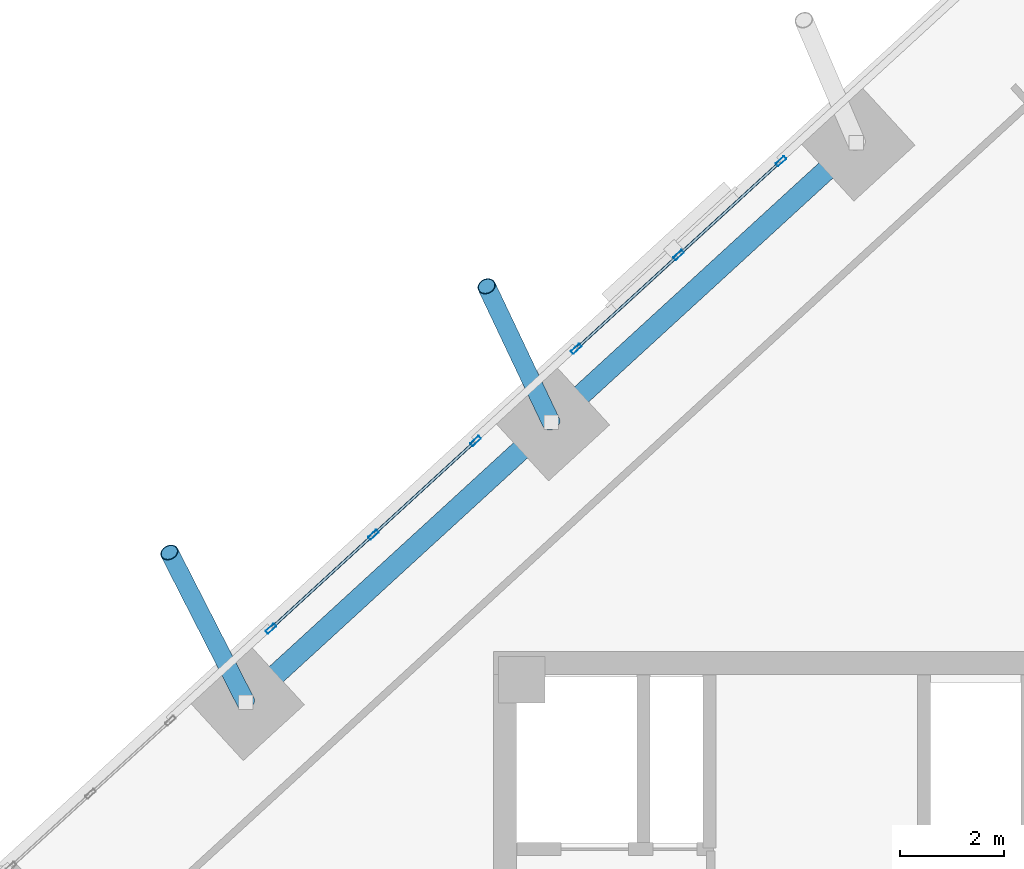
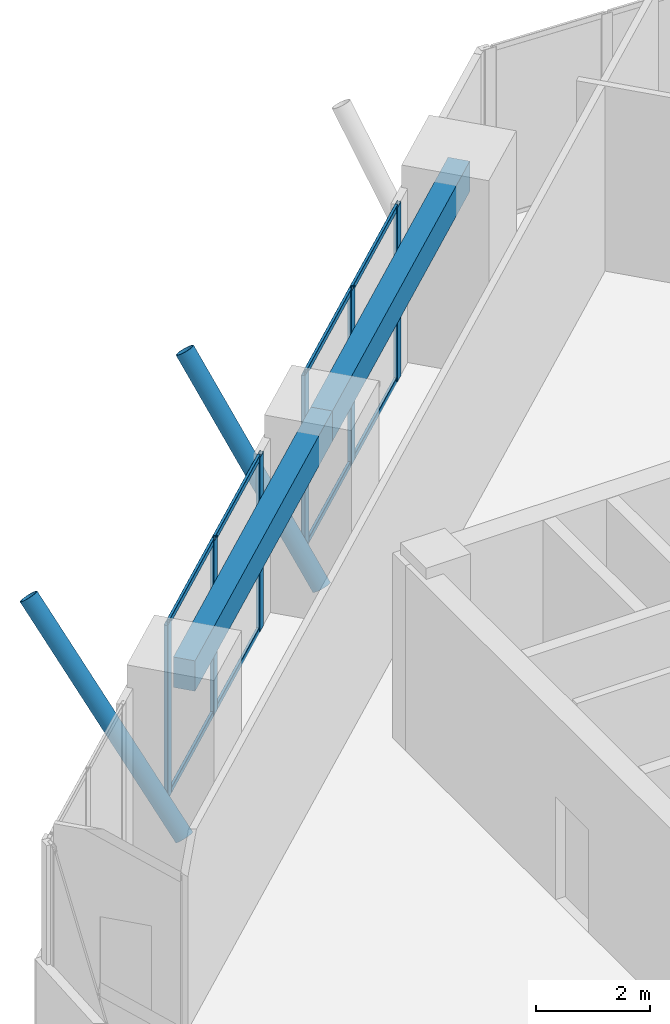
# One storey, part 8 of 16: 16 members, 2 beams, 2 elements without a shape of their own.
"""IFC4 building model written with IfcOpenShell, lengths in metres."""

from ifc_helpers import new_model, si_unit, direction, frame, origin, origin_2d, place, context, subcontext, project, spatial, rectangle, hollow_rectangle, hollow_circle, extrude, source, transform, mapped, material, material_profile, profile_set, type_object, element, aggregate, save


model = new_model("IFC4")

# Units and contexts
model_context = context("Model", 3, precision=1e-05, world=origin(), true_north=direction((0.0, 1.0)))
body_context = subcontext(model_context, "Body", "Model", "MODEL_VIEW")
ifc_project = project(units=[si_unit("LENGTHUNIT", "METRE"), si_unit("AREAUNIT", "SQUARE_METRE"), si_unit("VOLUMEUNIT", "CUBIC_METRE"), si_unit("PLANEANGLEUNIT", "RADIAN"), si_unit("MASSUNIT", "GRAM", prefix="KILO")], contexts=[model_context])

# Site, building, storey
site_placement = place(None, origin())
site = spatial("IfcSite", under=ifc_project, at=site_placement, CompositionType="ELEMENT")
building_placement = place(site_placement, origin())
building = spatial("IfcBuilding", under=site, at=building_placement, Name="Torre Montelarca", CompositionType="ELEMENT")
storey_placement = place(building_placement, frame((0.0, 0.0, 262.60009765625)))
storey = spatial("IfcBuildingStorey", under=building, at=storey_placement, Name="L59", CompositionType="ELEMENT", Elevation=262.60009765625)

# Members
ifc_material_1 = material(Name="Steel ASTM A500 Grade C", Category="steel")
ifc_material_profile_1 = material_profile(ifc_material_1, hollow_circle(Radius=0.177734375, WallThickness=0.015869140625, at=origin_2d()), Name="HSS355.6X15.9", Category="steel")
ifc_profile_set_1 = profile_set([ifc_material_profile_1], Name="Steel ASTM A500 Grade C")
member_type_1 = type_object("IfcMemberType", Name="MB-BR-CHS356-EXT", PredefinedType="BRACE", material=ifc_profile_set_1)
shared_shape_1 = source(origin(), body_context, "Body", "SweptSolid", [
    extrude(hollow_circle(Radius=0.177734375, WallThickness=0.015869140625, at=origin_2d()), origin(), (0.0, 0.0, 1.0), 5.082763671875),
])
member_1_placement = place(storey_placement, frame((4.218017578125, 39.018310546875, 0.14990234375), z_axis=(-0.290606744912, 0.569012809956, 0.769267275996), x_axis=(-0.89057546117, -0.454835517481, 0.0)))
element("IfcMember", 1, at=member_1_placement, inside=storey, type_object=member_type_1, Name="L60 Sliding Tray Exterior Diagonal Raker Strut W1", PredefinedType="BRACE", context=body_context, shape_type="MappedRepresentation", body=[
    mapped(shared_shape_1, transform((0.0, 0.0, 0.0), scale=1.0)),
])
shared_shape_2 = source(origin(), body_context, "Body", "SweptSolid", [
    extrude(hollow_circle(Radius=0.177734375, WallThickness=0.015869140625, at=origin_2d()), origin(), (0.0, 0.0, 1.0), 4.874267578125),
])
member_2_placement = place(storey_placement, frame((10.1162109375, 44.423095703125, 0.14990234375), z_axis=(-0.255852513949, 0.539504194938, 0.802168757027), x_axis=(-0.903544731474, -0.428493778514, 0.0)))
element("IfcMember", 2, at=member_2_placement, inside=storey, type_object=member_type_1, Name="L60 Sliding Tray Exterior Diagonal Raker Strut W2", PredefinedType="BRACE", context=body_context, shape_type="MappedRepresentation", body=[
    mapped(shared_shape_2, transform((0.0, 0.0, 0.0), scale=1.0)),
])

# Beams
ifc_material_2 = material(Name="Concrete C40/50", Category="concrete")
ifc_material_profile_2 = material_profile(ifc_material_2, rectangle(XDim=0.39990234375, YDim=0.64990234375, at=origin_2d()), Name="RCB400X650", Category="concrete")
ifc_profile_set_2 = profile_set([ifc_material_profile_2], Name="Concrete C40/50")
beam_type = type_object("IfcBeamType", Name="BM-SP-RC650-EXT", PredefinedType="SPANDREL", material=ifc_profile_set_2)
shared_shape_3 = source(origin(), body_context, "Body", "SweptSolid", [
    extrude(rectangle(XDim=0.39990234375, YDim=0.64990234375, at=origin_2d()), origin(), (0.0, 0.0, 1.0), 8.0),
])
for number, where, z_axis, x_axis, name in (
    (3, (4.218017578125, 39.018310546875, 3.635009765625), (0.737271938008, 0.675596099327, 0.0), (-0.675596099327, 0.737271938008, 0.0), "L59 Grid Girder Y 24.0-32.0 at X=4.7"),
    (4, (10.1162109375, 44.423095703125, 3.635009765625), (0.737271938008, 0.675596099327, 0.0), (-0.675596099327, 0.737271938008, 0.0), "L59 Grid Girder Y 32.0-40.0 at X=4.7"),
):
    element("IfcBeam", number, at=place(storey_placement, frame(where, z_axis=z_axis, x_axis=x_axis)), inside=storey, type_object=beam_type, Name=name, PredefinedType="SPANDREL", context=body_context, shape_type="MappedRepresentation", body=[
        mapped(shared_shape_3, transform((0.0, 0.0, 0.0), scale=1.0)),
    ])

# Curtain wall, members
ifc_material_3 = material(Name="Insulated low-E laminated glass", Category="glass")
curtain_wall_type = type_object("IfcCurtainWallType", Name="CW-SYS-Z3", PredefinedType="USERDEFINED", material=ifc_material_3)
curtain_wall_1_placement = place(storey_placement, origin())
curtain_wall_1 = element("IfcCurtainWall", 5, at=curtain_wall_1_placement, inside=storey, type_object=curtain_wall_type, Name="L59 Curtain Wall Run CW-T3-L59-E10-B1", ObjectType="UNITISED GLAZING", PredefinedType="USERDEFINED")
ifc_material_4 = material(Name="Anodised aluminium AA 6063-T6", Category="aluminium")
ifc_material_profile_3 = material_profile(ifc_material_4, hollow_rectangle(XDim=0.074951171875, YDim=0.219970703125, WallThickness=0.0048828125, InnerFilletRadius=0.0048828125, OuterFilletRadius=0.010009765625, at=origin_2d()), Name="ALU75X220X5", Category="aluminium")
ifc_profile_set_3 = profile_set([ifc_material_profile_3], Name="Anodised aluminium AA 6063-T6")
member_type_2 = type_object("IfcMemberType", Name="CWM-ALU220", PredefinedType="MULLION", material=ifc_profile_set_3)
shared_shape_4 = source(origin(), body_context, "Body", "SweptSolid", [
    extrude(hollow_rectangle(XDim=0.074951171875, YDim=0.219970703125, WallThickness=0.0048828125, InnerFilletRadius=0.0048828125, OuterFilletRadius=0.010009765625, at=origin_2d()), origin(), (0.0, 0.0, 1.0), 3.719970703125),
])
member_3_placement = place(storey_placement, frame((14.556640625, 49.468505859375, 0.0), z_axis=(0.0, 0.0, 1.0), x_axis=(0.675588101971, -0.737279266272, 0.0)))
member_3 = element("IfcMember", 6, at=member_3_placement, type_object=member_type_2, Name="CW mullion 1", PredefinedType="MULLION", context=body_context, shape_type="MappedRepresentation", body=[
    mapped(shared_shape_4, transform((0.0, 0.0, 0.0), scale=1.0)),
])
member_4_placement = place(storey_placement, frame((12.5791015625, 47.65625, 0.0), z_axis=(0.0, 0.0, 1.0), x_axis=(0.675588101971, -0.737279266272, 0.0)))
member_4 = element("IfcMember", 7, at=member_4_placement, type_object=member_type_2, Name="CW mullion 2", PredefinedType="MULLION", context=body_context, shape_type="MappedRepresentation", body=[
    mapped(shared_shape_4, transform((0.0, 0.0, 0.0), scale=1.0)),
])
member_5_placement = place(storey_placement, frame((10.601318359375, 45.843994140625, 0.0), z_axis=(0.0, 0.0, 1.0), x_axis=(0.675588101971, -0.737279266272, 0.0)))
member_5 = element("IfcMember", 8, at=member_5_placement, type_object=member_type_2, Name="CW mullion 3", PredefinedType="MULLION", context=body_context, shape_type="MappedRepresentation", body=[
    mapped(shared_shape_4, transform((0.0, 0.0, 0.0), scale=1.0)),
])

curtain_wall_2_placement = place(storey_placement, origin())
curtain_wall_2 = element("IfcCurtainWall", 9, at=curtain_wall_2_placement, inside=storey, type_object=curtain_wall_type, Name="L59 Curtain Wall Run CW-T3-L59-E10-B2", ObjectType="UNITISED GLAZING", PredefinedType="USERDEFINED")
member_6_placement = place(storey_placement, frame((8.658447265625, 44.06396484375, 0.0), z_axis=(0.0, 0.0, 1.0), x_axis=(0.675588101971, -0.737279266272, 0.0)))
member_6 = element("IfcMember", 10, at=member_6_placement, type_object=member_type_2, Name="CW mullion 1", PredefinedType="MULLION", context=body_context, shape_type="MappedRepresentation", body=[
    mapped(shared_shape_4, transform((0.0, 0.0, 0.0), scale=1.0)),
])
member_7_placement = place(storey_placement, frame((6.680908203125, 42.251708984375, 0.0), z_axis=(0.0, 0.0, 1.0), x_axis=(0.675588101971, -0.737279266272, 0.0)))
member_7 = element("IfcMember", 11, at=member_7_placement, type_object=member_type_2, Name="CW mullion 2", PredefinedType="MULLION", context=body_context, shape_type="MappedRepresentation", body=[
    mapped(shared_shape_4, transform((0.0, 0.0, 0.0), scale=1.0)),
])
member_8_placement = place(storey_placement, frame((4.703125, 40.439453125, 0.0), z_axis=(0.0, 0.0, 1.0), x_axis=(0.675588101971, -0.737279266272, 0.0)))
member_8 = element("IfcMember", 12, at=member_8_placement, type_object=member_type_2, Name="CW mullion 3", PredefinedType="MULLION", context=body_context, shape_type="MappedRepresentation", body=[
    mapped(shared_shape_4, transform((0.0, 0.0, 0.0), scale=1.0)),
])

# Member
ifc_material_profile_4 = material_profile(ifc_material_4, hollow_rectangle(XDim=0.054931640625, YDim=0.1201171875, WallThickness=0.00341796875, InnerFilletRadius=0.00341796875, OuterFilletRadius=0.007080078125, at=origin_2d()), Name="ALU55X120X3.5", Category="aluminium")
ifc_profile_set_4 = profile_set([ifc_material_profile_4], Name="Anodised aluminium AA 6063-T6")
member_type_3 = type_object("IfcMemberType", Name="CWT-ALU120", PredefinedType="USERDEFINED", material=ifc_profile_set_4)
shared_shape_5 = source(origin(), body_context, "Body", "SweptSolid", [
    extrude(hollow_rectangle(XDim=0.054931640625, YDim=0.1201171875, WallThickness=0.00341796875, InnerFilletRadius=0.00341796875, OuterFilletRadius=0.007080078125, at=origin_2d()), origin(), (0.0, 0.0, 1.0), 2.607421875),
])
member_9_placement = place(storey_placement, frame((14.529052734375, 49.443115234375, 0.02734375), z_axis=(-0.737286275891, -0.675580452191, 0.0), x_axis=(0.675580452191, -0.737286275891, 0.0)))
member_9 = element("IfcMember", 13, at=member_9_placement, type_object=member_type_3, Name="CW transom 1.1", ObjectType="TRANSOM", PredefinedType="USERDEFINED", context=body_context, shape_type="MappedRepresentation", body=[
    mapped(shared_shape_5, transform((0.0, 0.0, 0.0), scale=1.0)),
])

member_10_placement = place(storey_placement, frame((14.529052734375, 49.443115234375, 3.6923828125), z_axis=(-0.737286275891, -0.675580452191, 0.0), x_axis=(0.675580452191, -0.737286275891, 0.0)))
member_10 = element("IfcMember", 14, at=member_10_placement, type_object=member_type_3, Name="CW transom 1.2", ObjectType="TRANSOM", PredefinedType="USERDEFINED", context=body_context, shape_type="MappedRepresentation", body=[
    mapped(shared_shape_5, transform((0.0, 0.0, 0.0), scale=1.0)),
])

member_11_placement = place(storey_placement, frame((12.55126953125, 47.630859375, 0.02734375), z_axis=(-0.737286275891, -0.675580452191, 0.0), x_axis=(0.675580452191, -0.737286275891, 0.0)))
member_11 = element("IfcMember", 15, at=member_11_placement, type_object=member_type_3, Name="CW transom 2.1", ObjectType="TRANSOM", PredefinedType="USERDEFINED", context=body_context, shape_type="MappedRepresentation", body=[
    mapped(shared_shape_5, transform((0.0, 0.0, 0.0), scale=1.0)),
])

member_12_placement = place(storey_placement, frame((12.55126953125, 47.630859375, 3.6923828125), z_axis=(-0.737286275891, -0.675580452191, 0.0), x_axis=(0.675580452191, -0.737286275891, 0.0)))
member_12 = element("IfcMember", 16, at=member_12_placement, type_object=member_type_3, Name="CW transom 2.2", ObjectType="TRANSOM", PredefinedType="USERDEFINED", context=body_context, shape_type="MappedRepresentation", body=[
    mapped(shared_shape_5, transform((0.0, 0.0, 0.0), scale=1.0)),
])

aggregate(curtain_wall_1, [member_3, member_4, member_5, member_9, member_10, member_11, member_12])

member_13_placement = place(storey_placement, frame((8.630859375, 44.03857421875, 0.02734375), z_axis=(-0.737239637576, -0.675631346806, 0.0), x_axis=(0.675631346806, -0.737239637576, 0.0)))
member_13 = element("IfcMember", 17, at=member_13_placement, type_object=member_type_3, Name="CW transom 1.1", ObjectType="TRANSOM", PredefinedType="USERDEFINED", context=body_context, shape_type="MappedRepresentation", body=[
    mapped(shared_shape_5, transform((0.0, 0.0, 0.0), scale=1.0)),
])

member_14_placement = place(storey_placement, frame((8.630859375, 44.03857421875, 3.6923828125), z_axis=(-0.737239637576, -0.675631346806, 0.0), x_axis=(0.675631346806, -0.737239637576, 0.0)))
member_14 = element("IfcMember", 18, at=member_14_placement, type_object=member_type_3, Name="CW transom 1.2", ObjectType="TRANSOM", PredefinedType="USERDEFINED", context=body_context, shape_type="MappedRepresentation", body=[
    mapped(shared_shape_5, transform((0.0, 0.0, 0.0), scale=1.0)),
])

member_15_placement = place(storey_placement, frame((6.653076171875, 42.226318359375, 0.02734375), z_axis=(-0.737239637576, -0.675631346806, 0.0), x_axis=(0.675631346806, -0.737239637576, 0.0)))
member_15 = element("IfcMember", 19, at=member_15_placement, type_object=member_type_3, Name="CW transom 2.1", ObjectType="TRANSOM", PredefinedType="USERDEFINED", context=body_context, shape_type="MappedRepresentation", body=[
    mapped(shared_shape_5, transform((0.0, 0.0, 0.0), scale=1.0)),
])

member_16_placement = place(storey_placement, frame((6.653076171875, 42.226318359375, 3.6923828125), z_axis=(-0.737239637576, -0.675631346806, 0.0), x_axis=(0.675631346806, -0.737239637576, 0.0)))
member_16 = element("IfcMember", 20, at=member_16_placement, type_object=member_type_3, Name="CW transom 2.2", ObjectType="TRANSOM", PredefinedType="USERDEFINED", context=body_context, shape_type="MappedRepresentation", body=[
    mapped(shared_shape_5, transform((0.0, 0.0, 0.0), scale=1.0)),
])

aggregate(curtain_wall_2, [member_6, member_7, member_8, member_13, member_14, member_15, member_16])

save(model, "model.ifc")
